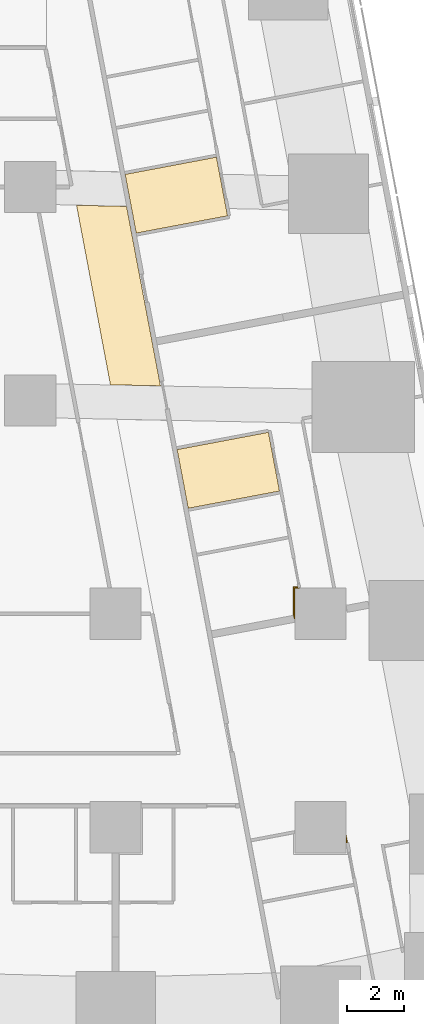
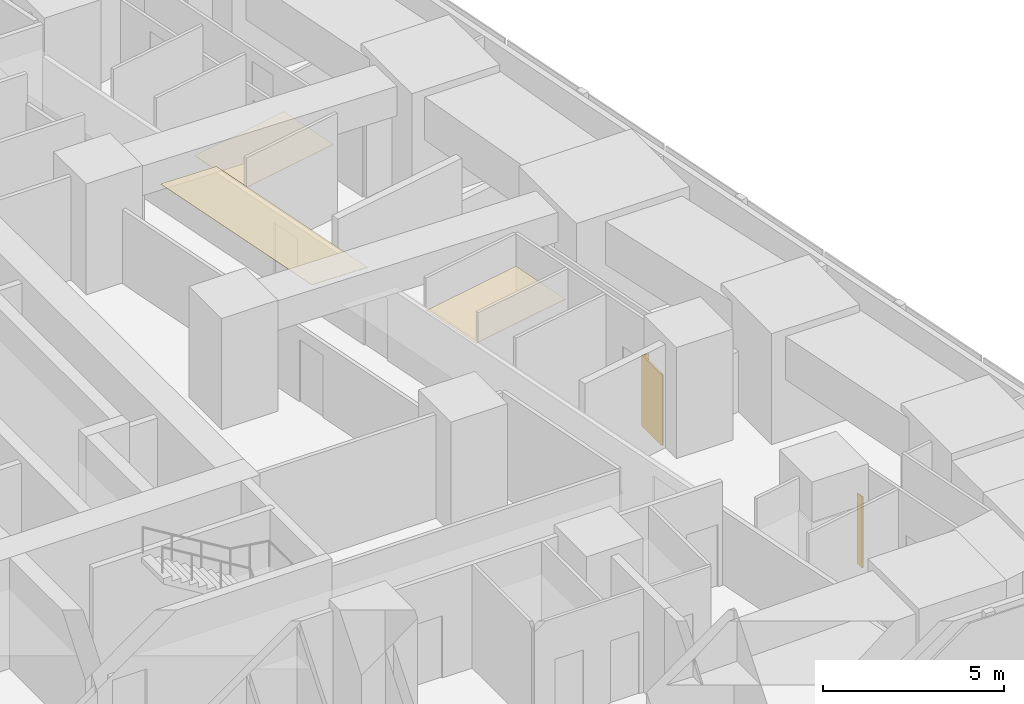
# One storey, part 15 of 16: 5 coverings.
"""IFC4 building model written with IfcOpenShell, lengths in metres."""

import ifcopenshell
import ifcopenshell.guid

model = None  # the IFC model being written
_history = None  # IfcOwnerHistory: only IFC2X3 demands one
_inside = {}  # id of a spatial element -> (the spatial element, [elements in it])
_under = {}  # id of a project, library or spatial element -> (it, [spatial elements below it])
_declared = {}  # id of a project -> (the project, [libraries it declares])
_typed = {}  # id of a type object -> (the type object, [elements of that type])
_made_of = {}  # id of a material, layer set ... -> (it, [elements and type objects made of it])


def new_model(schema):
    """Start an empty IFC model of exactly this schema.

    Asked for "IFC4X3", IfcOpenShell would pick the latest addendum, in which some entities
    have other attributes; the version numbers below select the first issue.
    IFC2X3 requires an IfcOwnerHistory on every rooted entity: one is made here for all.
    """
    global model, _history
    if schema == "IFC4X3":
        model = ifcopenshell.file(schema_version=(4, 3, 0, 0))
    else:
        model = ifcopenshell.file(schema=schema)
    _inside.clear()
    _under.clear()
    _declared.clear()
    _typed.clear()
    _made_of.clear()
    _history = None
    if model.schema == "IFC2X3":
        org = make("IfcOrganization", Name="unknown")
        user = make(
            "IfcPersonAndOrganization",
            ThePerson=make("IfcPerson", FamilyName="unknown"),
            TheOrganization=org,
        )
        app = make(
            "IfcApplication",
            ApplicationDeveloper=org,
            Version="unknown",
            ApplicationFullName="unknown",
            ApplicationIdentifier="unknown",
        )
        _history = make(
            "IfcOwnerHistory",
            OwningUser=user,
            OwningApplication=app,
            ChangeAction="ADDED",
            CreationDate=0,
        )
    return model


def make(cls, **values):
    """One entity of the class cls with the attributes given. An attribute that is None is left unset."""
    return model.create_entity(
        cls, **{name: value for name, value in values.items() if value is not None}
    )


def rooted(cls, **values):
    """An entity with a GlobalId (a new one), such as an element, a storey or a relation."""
    return make(cls, GlobalId=ifcopenshell.guid.new(), OwnerHistory=_history, **values)


def si_unit(unit_type, name, prefix=None):
    """IfcSIUnit, for example si_unit("LENGTHUNIT", "METRE", prefix="MILLI")."""
    return make("IfcSIUnit", UnitType=unit_type, Prefix=prefix, Name=name)


def assignment(units):
    """IfcUnitAssignment: the units of a project."""
    return None if units is None else make("IfcUnitAssignment", Units=units)


def point(xyz):
    """IfcCartesianPoint."""
    return None if xyz is None else make("IfcCartesianPoint", Coordinates=xyz)


def direction(xyz):
    """IfcDirection."""
    return None if xyz is None else make("IfcDirection", DirectionRatios=xyz)


def frame(location, z_axis=None, x_axis=None):
    """IfcAxis2Placement3D, a coordinate frame: its origin and axes. An axis left out is left unset."""
    return make(
        "IfcAxis2Placement3D",
        Location=point(location),
        Axis=direction(z_axis),
        RefDirection=direction(x_axis),
    )


def origin():
    """The frame at (0, 0, 0) with its axes left unset."""
    return frame((0.0, 0.0, 0.0))


def place(relative_to, where):
    """IfcLocalPlacement: puts the frame where relative to a parent placement (None: the world)."""
    return make(
        "IfcLocalPlacement", PlacementRelTo=relative_to, RelativePlacement=where
    )


def context(
    kind, dimensions, precision=None, world=None, true_north=None, identifier=None
):
    """IfcGeometricRepresentationContext, for example the 3D "Model" context."""
    return make(
        "IfcGeometricRepresentationContext",
        ContextIdentifier=identifier,
        ContextType=kind,
        CoordinateSpaceDimension=dimensions,
        Precision=precision,
        WorldCoordinateSystem=world,
        TrueNorth=true_north,
    )


def subcontext(parent, identifier, kind, view, scale=None):
    """IfcGeometricRepresentationSubContext, for example "Body" below "Model"."""
    return make(
        "IfcGeometricRepresentationSubContext",
        ContextIdentifier=identifier,
        ContextType=kind,
        ParentContext=parent,
        TargetScale=scale,
        TargetView=view,
    )


def project(units=None, contexts=None):
    """IfcProject with its units and contexts."""
    return rooted(
        "IfcProject",
        Name="project",
        RepresentationContexts=contexts,
        UnitsInContext=assignment(units),
    )


def spatial(cls, under=None, at=None, **own):
    """A site, building, storey or space (cls), placed at a placement, below another one or the project."""
    s = rooted(cls, ObjectPlacement=at, **own)
    if under is not None:
        _under.setdefault(under.id(), (under, []))[1].append(s)
    return s


def polyline(points):
    """IfcPolyline through the points."""
    return make("IfcPolyline", Points=[point(p) for p in points])


def outline(outer, holes=None, kind="AREA"):
    """IfcArbitraryClosedProfileDef: a profile drawn as a closed curve; with holes, ...WithVoids."""
    if holes is None:
        return make("IfcArbitraryClosedProfileDef", ProfileType=kind, OuterCurve=outer)
    return make(
        "IfcArbitraryProfileDefWithVoids",
        ProfileType=kind,
        OuterCurve=outer,
        InnerCurves=holes,
    )


def extrude(swept, where, along, depth):
    """IfcExtrudedAreaSolid: the profile swept, set in the frame where, extruded along a direction by depth."""
    return make(
        "IfcExtrudedAreaSolid",
        SweptArea=swept,
        Position=where,
        ExtrudedDirection=direction(along),
        Depth=depth,
    )


def shape(context_of_items, identifier, shape_type, items):
    """IfcShapeRepresentation: the items that make up one representation, for example the "Body"."""
    return make(
        "IfcShapeRepresentation",
        ContextOfItems=context_of_items,
        RepresentationIdentifier=identifier,
        RepresentationType=shape_type,
        Items=items,
    )


def material(Name=None, Category=None):
    """IfcMaterial."""
    return make("IfcMaterial", Name=Name, Category=Category)


def layer(
    of_material, thickness, ventilated=None, Name=None, Category=None, Priority=None
):
    """IfcMaterialLayer: one layer of a wall or slab, of a material (None: an air gap)."""
    return make(
        "IfcMaterialLayer",
        Material=of_material,
        LayerThickness=thickness,
        IsVentilated=ventilated,
        Name=Name,
        Category=Category,
        Priority=Priority,
    )


def layer_set(layers, Name=None):
    """IfcMaterialLayerSet."""
    return make("IfcMaterialLayerSet", MaterialLayers=layers, LayerSetName=Name)


def made_of(thing, what):
    """Note that an element or type object is made of a material, layer set ...; save() writes the relation."""
    if what is not None:
        _made_of.setdefault(what.id(), (what, []))[1].append(thing)
    return thing


def type_object(cls, material=None, **own):
    """A type object (cls), such as IfcWallType, which elements share."""
    return made_of(rooted(cls, **own), material)


def element(
    cls,
    number,
    at=None,
    inside=None,
    cuts=None,
    type_object=None,
    material=None,
    context=None,
    identifier="Body",
    shape_type=None,
    held_by="IfcProductDefinitionShape",
    body=None,
    shapes=None,
    **own,
):
    """One element of the class cls, such as IfcWall. Its Tag is "e" and its number.

    at: its placement. inside: the storey or other place that contains it. cuts: it is an
    opening in that element (IfcRelVoidsElement). A single representation is given by context,
    identifier, shape_type and body (its items); several are given by shapes. held_by: the class
    of the entity that holds the representations. save() writes the other relations.
    """
    e = rooted(cls, Tag="e%d" % number, ObjectPlacement=at, **own)
    if body is not None:
        shapes = [shape(context, identifier, shape_type, body)]
    if shapes is not None:
        e.Representation = make(held_by, Representations=shapes)
    if inside is not None:
        _inside.setdefault(inside.id(), (inside, []))[1].append(e)
    if cuts is not None:
        rooted(
            "IfcRelVoidsElement", RelatingBuildingElement=cuts, RelatedOpeningElement=e
        )
    if type_object is not None:
        _typed.setdefault(type_object.id(), (type_object, []))[1].append(e)
    return made_of(e, material)


def aggregate(whole, parts):
    """IfcRelAggregates: a whole, such as a stair, and the parts it consists of."""
    return rooted("IfcRelAggregates", RelatingObject=whole, RelatedObjects=parts)


def save(model, path):
    """Write the relations noted so far, then the file.

    IfcRelAggregates (storeys below a building ...), IfcRelContainedInSpatialStructure (elements
    in a storey), IfcRelDefinesByType, IfcRelAssociatesMaterial and IfcRelDeclares: one each for
    every whole, place, type object, material and project.
    """
    for whole, parts in _under.values():
        aggregate(whole, parts)
    for where, things in _inside.values():
        rooted(
            "IfcRelContainedInSpatialStructure",
            RelatedElements=things,
            RelatingStructure=where,
        )
    for kind, things in _typed.values():
        rooted("IfcRelDefinesByType", RelatedObjects=things, RelatingType=kind)
    for what, things in _made_of.values():
        rooted("IfcRelAssociatesMaterial", RelatedObjects=things, RelatingMaterial=what)
    for by, libraries in _declared.values():
        rooted("IfcRelDeclares", RelatingContext=by, RelatedDefinitions=libraries)
    model.write(path)


model = new_model("IFC4")

# Units and contexts
model_context = context("Model", 3, precision=1e-05, world=origin(), true_north=direction((0.0, 1.0)))
body_context = subcontext(model_context, "Body", "Model", "MODEL_VIEW")
ifc_project = project(units=[si_unit("LENGTHUNIT", "METRE"), si_unit("AREAUNIT", "SQUARE_METRE"), si_unit("VOLUMEUNIT", "CUBIC_METRE"), si_unit("PLANEANGLEUNIT", "RADIAN"), si_unit("MASSUNIT", "GRAM", prefix="KILO")], contexts=[model_context])

# Site, building, storey
site_placement = place(None, origin())
site = spatial("IfcSite", under=ifc_project, at=site_placement, CompositionType="ELEMENT")
building_placement = place(site_placement, origin())
building = spatial("IfcBuilding", under=site, at=building_placement, Name="Sheger Commons Tower", CompositionType="ELEMENT")
storey_placement = place(building_placement, frame((0.0, 0.0, 61.25)))
storey = spatial("IfcBuildingStorey", under=building, at=storey_placement, Name="L15", CompositionType="ELEMENT", Elevation=61.25)

# Coverings
ifc_material_1 = material(Name="Moisture-resistant gypsum plasterboard 15 mm on a suspended galvanised steel grid", Category="steel")
ifc_layer_1 = layer(ifc_material_1, 0.014892578125)
ifc_layer_set_1 = layer_set([ifc_layer_1], Name="MOISTURE-RESISTANT CEILING 15")
covering_type_1 = type_object("IfcCoveringType", Name="MOISTURE-RESISTANT CEILING 15", PredefinedType="CEILING", material=ifc_layer_set_1)
covering_1_placement = place(storey_placement, frame((0.0, 0.0, 2.39990234375)))
element("IfcCovering", 1, at=covering_1_placement, inside=storey, type_object=covering_type_1, Name="L15-09.B1 ceiling", PredefinedType="CEILING", context=body_context, shape_type="SweptSolid", body=[
    extrude(outline(polyline([(36.72509765625, 28.37890625), (39.93310546875, 28.986083984375), (39.54296875, 31.049072265625), (36.3349609375, 30.443115234375), (36.72509765625, 28.37890625)])), origin(), (0.0, 0.0, 1.0), 0.01513671875),
])
covering_2_placement = place(storey_placement, frame((0.0, 0.0, 2.39990234375)))
element("IfcCovering", 2, at=covering_2_placement, inside=storey, type_object=covering_type_1, Name="L15-10.B1 ceiling", PredefinedType="CEILING", context=body_context, shape_type="SweptSolid", body=[
    extrude(outline(polyline([(38.552001953125, 18.7080078125), (41.760009765625, 19.31396484375), (41.3701171875, 21.3779296875), (38.162109375, 20.77197265625), (38.552001953125, 18.7080078125)])), origin(), (0.0, 0.0, 1.0), 0.01513671875),
])
ifc_material_2 = material(Name="Gypsum plasterboard 15 mm on a suspended steel grid", Category="steel")
ifc_layer_2 = layer(ifc_material_2, 0.014892578125)
ifc_layer_set_2 = layer_set([ifc_layer_2], Name="SUSPENDED CEILING 15")
covering_type_2 = type_object("IfcCoveringType", Name="SUSPENDED CEILING 15", PredefinedType="CEILING", material=ifc_layer_set_2)
covering_3_placement = place(storey_placement, frame((0.0, 0.0, 2.699951171875)))
element("IfcCovering", 3, at=covering_3_placement, inside=storey, type_object=covering_type_2, Name="L15-CO ceiling", PredefinedType="CEILING", context=body_context, shape_type="SweptSolid", body=[
    extrude(outline(polyline([(37.575927734375, 23.011962890625), (36.385009765625, 29.318115234375), (34.626953125, 29.35791015625), (35.819091796875, 23.048095703125), (37.575927734375, 23.011962890625)])), origin(), (0.0, 0.0, 1.0), 0.01513671875),
])
ifc_material_3 = material(Name="Moisture-resistant gypsum board 12.5 mm on 25 mm treated timber battens, tanked and tiled", Category="wood")
ifc_layer_3 = layer(ifc_material_3, 0.050048828125)
ifc_layer_set_3 = layer_set([ifc_layer_3], Name="WET-ROOM COLUMN LINING")
covering_type_3 = type_object("IfcCoveringType", Name="WET-ROOM COLUMN LINING", PredefinedType="CLADDING", material=ifc_layer_set_3)
covering_4_placement = place(storey_placement, origin())
element("IfcCovering", 4, at=covering_4_placement, inside=storey, type_object=covering_type_3, Name="Bathroom column lining C8 L15", PredefinedType="CLADDING", context=body_context, shape_type="SweptSolid", body=[
    extrude(outline(polyline([(44.10009765625, 7.220947265625), (44.14892578125, 6.9599609375), (44.10009765625, 6.950927734375), (44.10009765625, 7.220947265625)])), origin(), (0.0, 0.0, 1.0), 2.39990234375),
])
covering_5_placement = place(storey_placement, origin())
element("IfcCovering", 5, at=covering_5_placement, inside=storey, type_object=covering_type_3, Name="Store and laundry column lining C8 L15", PredefinedType="CLADDING", context=body_context, shape_type="SweptSolid", body=[
    extrude(outline(polyline([(42.40087890625, 15.949951171875), (42.409912109375, 15.90087890625), (42.458984375, 15.909912109375), (42.4609375, 15.89990234375), (42.300048828125, 15.89990234375), (42.300048828125, 14.830078125), (42.27587890625, 14.824951171875), (42.2529296875, 14.947998046875), (42.25, 14.947021484375), (42.25, 15.949951171875), (42.40087890625, 15.949951171875)])), origin(), (0.0, 0.0, 1.0), 2.39990234375),
])

save(model, "model.ifc")
